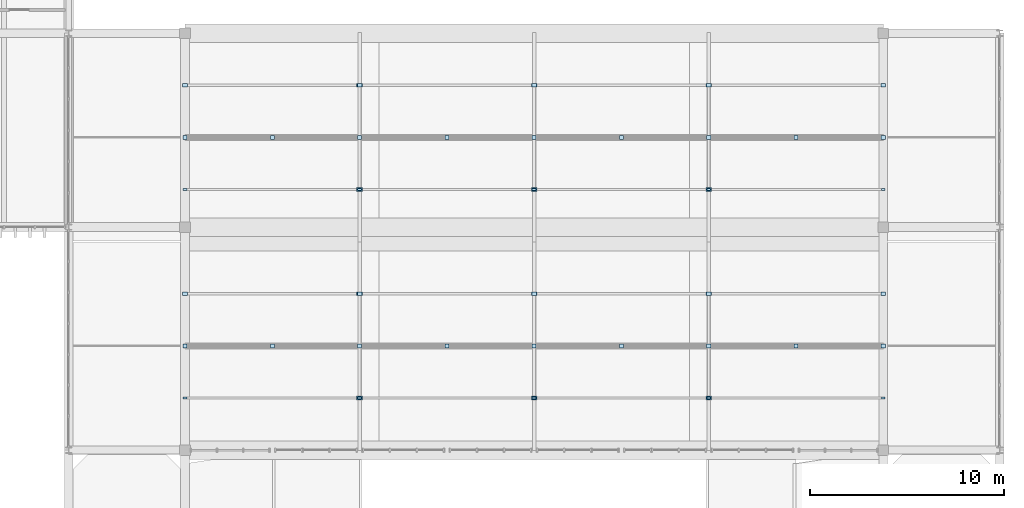
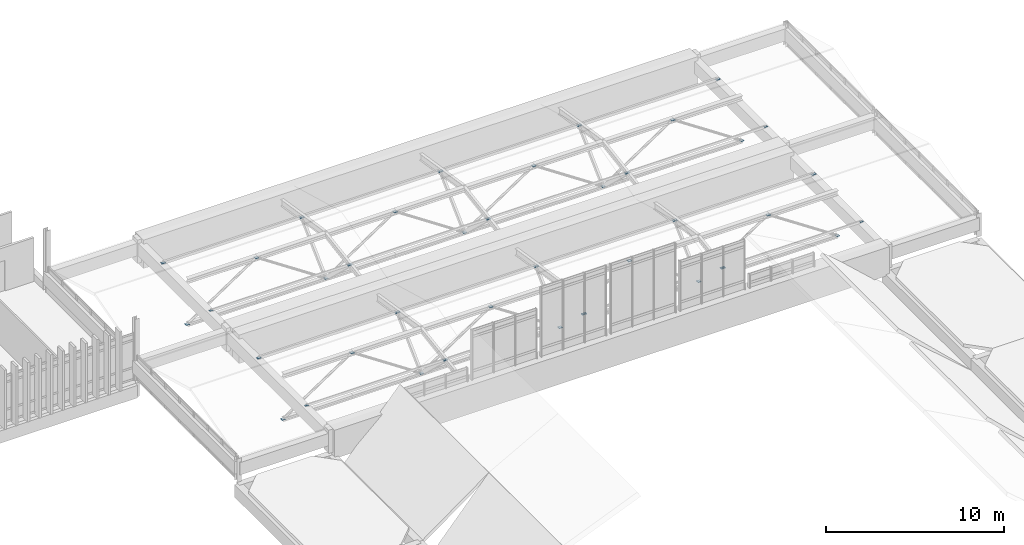
# One storey, part 76 of 82: 50 plates.
"""IFC4 building model written with IfcOpenShell, lengths in metres."""

import ifcopenshell
import ifcopenshell.guid

model = None  # the IFC model being written
_history = None  # IfcOwnerHistory: only IFC2X3 demands one
_inside = {}  # id of a spatial element -> (the spatial element, [elements in it])
_under = {}  # id of a project, library or spatial element -> (it, [spatial elements below it])
_declared = {}  # id of a project -> (the project, [libraries it declares])
_typed = {}  # id of a type object -> (the type object, [elements of that type])
_made_of = {}  # id of a material, layer set ... -> (it, [elements and type objects made of it])


def new_model(schema):
    """Start an empty IFC model of exactly this schema.

    Asked for "IFC4X3", IfcOpenShell would pick the latest addendum, in which some entities
    have other attributes; the version numbers below select the first issue.
    IFC2X3 requires an IfcOwnerHistory on every rooted entity: one is made here for all.
    """
    global model, _history
    if schema == "IFC4X3":
        model = ifcopenshell.file(schema_version=(4, 3, 0, 0))
    else:
        model = ifcopenshell.file(schema=schema)
    _inside.clear()
    _under.clear()
    _declared.clear()
    _typed.clear()
    _made_of.clear()
    _history = None
    if model.schema == "IFC2X3":
        org = make("IfcOrganization", Name="unknown")
        user = make(
            "IfcPersonAndOrganization",
            ThePerson=make("IfcPerson", FamilyName="unknown"),
            TheOrganization=org,
        )
        app = make(
            "IfcApplication",
            ApplicationDeveloper=org,
            Version="unknown",
            ApplicationFullName="unknown",
            ApplicationIdentifier="unknown",
        )
        _history = make(
            "IfcOwnerHistory",
            OwningUser=user,
            OwningApplication=app,
            ChangeAction="ADDED",
            CreationDate=0,
        )
    return model


def make(cls, **values):
    """One entity of the class cls with the attributes given. An attribute that is None is left unset."""
    return model.create_entity(
        cls, **{name: value for name, value in values.items() if value is not None}
    )


def rooted(cls, **values):
    """An entity with a GlobalId (a new one), such as an element, a storey or a relation."""
    return make(cls, GlobalId=ifcopenshell.guid.new(), OwnerHistory=_history, **values)


def si_unit(unit_type, name, prefix=None):
    """IfcSIUnit, for example si_unit("LENGTHUNIT", "METRE", prefix="MILLI")."""
    return make("IfcSIUnit", UnitType=unit_type, Prefix=prefix, Name=name)


def assignment(units):
    """IfcUnitAssignment: the units of a project."""
    return None if units is None else make("IfcUnitAssignment", Units=units)


def point(xyz):
    """IfcCartesianPoint."""
    return None if xyz is None else make("IfcCartesianPoint", Coordinates=xyz)


def direction(xyz):
    """IfcDirection."""
    return None if xyz is None else make("IfcDirection", DirectionRatios=xyz)


def frame(location, z_axis=None, x_axis=None):
    """IfcAxis2Placement3D, a coordinate frame: its origin and axes. An axis left out is left unset."""
    return make(
        "IfcAxis2Placement3D",
        Location=point(location),
        Axis=direction(z_axis),
        RefDirection=direction(x_axis),
    )


def frame_2d(location, x_axis=None):
    """IfcAxis2Placement2D, a coordinate frame in the plane: its origin and x axis."""
    return make(
        "IfcAxis2Placement2D", Location=point(location), RefDirection=direction(x_axis)
    )


def origin():
    """The frame at (0, 0, 0) with its axes left unset."""
    return frame((0.0, 0.0, 0.0))


def origin_2d():
    """The frame at (0, 0) in the plane with its x axis left unset."""
    return frame_2d((0.0, 0.0))


def place(relative_to, where):
    """IfcLocalPlacement: puts the frame where relative to a parent placement (None: the world)."""
    return make(
        "IfcLocalPlacement", PlacementRelTo=relative_to, RelativePlacement=where
    )


def context(
    kind, dimensions, precision=None, world=None, true_north=None, identifier=None
):
    """IfcGeometricRepresentationContext, for example the 3D "Model" context."""
    return make(
        "IfcGeometricRepresentationContext",
        ContextIdentifier=identifier,
        ContextType=kind,
        CoordinateSpaceDimension=dimensions,
        Precision=precision,
        WorldCoordinateSystem=world,
        TrueNorth=true_north,
    )


def subcontext(parent, identifier, kind, view, scale=None):
    """IfcGeometricRepresentationSubContext, for example "Body" below "Model"."""
    return make(
        "IfcGeometricRepresentationSubContext",
        ContextIdentifier=identifier,
        ContextType=kind,
        ParentContext=parent,
        TargetScale=scale,
        TargetView=view,
    )


def project(units=None, contexts=None):
    """IfcProject with its units and contexts."""
    return rooted(
        "IfcProject",
        Name="project",
        RepresentationContexts=contexts,
        UnitsInContext=assignment(units),
    )


def spatial(cls, under=None, at=None, **own):
    """A site, building, storey or space (cls), placed at a placement, below another one or the project."""
    s = rooted(cls, ObjectPlacement=at, **own)
    if under is not None:
        _under.setdefault(under.id(), (under, []))[1].append(s)
    return s


def profile(cls, at=None, kind="AREA", **sizes):
    """A parametric profile (cls). Its sizes go by their IFC names, for example OverallWidth=200.0."""
    return make(cls, ProfileType=kind, Position=at, **sizes)


def rectangle(**sizes):
    """IfcRectangleProfileDef."""
    return profile("IfcRectangleProfileDef", **sizes)


def extrude(swept, where, along, depth):
    """IfcExtrudedAreaSolid: the profile swept, set in the frame where, extruded along a direction by depth."""
    return make(
        "IfcExtrudedAreaSolid",
        SweptArea=swept,
        Position=where,
        ExtrudedDirection=direction(along),
        Depth=depth,
    )


def shape(context_of_items, identifier, shape_type, items):
    """IfcShapeRepresentation: the items that make up one representation, for example the "Body"."""
    return make(
        "IfcShapeRepresentation",
        ContextOfItems=context_of_items,
        RepresentationIdentifier=identifier,
        RepresentationType=shape_type,
        Items=items,
    )


def material(Name=None, Category=None):
    """IfcMaterial."""
    return make("IfcMaterial", Name=Name, Category=Category)


def layer(
    of_material, thickness, ventilated=None, Name=None, Category=None, Priority=None
):
    """IfcMaterialLayer: one layer of a wall or slab, of a material (None: an air gap)."""
    return make(
        "IfcMaterialLayer",
        Material=of_material,
        LayerThickness=thickness,
        IsVentilated=ventilated,
        Name=Name,
        Category=Category,
        Priority=Priority,
    )


def layer_set(layers, Name=None):
    """IfcMaterialLayerSet."""
    return make("IfcMaterialLayerSet", MaterialLayers=layers, LayerSetName=Name)


def made_of(thing, what):
    """Note that an element or type object is made of a material, layer set ...; save() writes the relation."""
    if what is not None:
        _made_of.setdefault(what.id(), (what, []))[1].append(thing)
    return thing


def type_object(cls, material=None, **own):
    """A type object (cls), such as IfcWallType, which elements share."""
    return made_of(rooted(cls, **own), material)


def element(
    cls,
    number,
    at=None,
    inside=None,
    cuts=None,
    type_object=None,
    material=None,
    context=None,
    identifier="Body",
    shape_type=None,
    held_by="IfcProductDefinitionShape",
    body=None,
    shapes=None,
    **own,
):
    """One element of the class cls, such as IfcWall. Its Tag is "e" and its number.

    at: its placement. inside: the storey or other place that contains it. cuts: it is an
    opening in that element (IfcRelVoidsElement). A single representation is given by context,
    identifier, shape_type and body (its items); several are given by shapes. held_by: the class
    of the entity that holds the representations. save() writes the other relations.
    """
    e = rooted(cls, Tag="e%d" % number, ObjectPlacement=at, **own)
    if body is not None:
        shapes = [shape(context, identifier, shape_type, body)]
    if shapes is not None:
        e.Representation = make(held_by, Representations=shapes)
    if inside is not None:
        _inside.setdefault(inside.id(), (inside, []))[1].append(e)
    if cuts is not None:
        rooted(
            "IfcRelVoidsElement", RelatingBuildingElement=cuts, RelatedOpeningElement=e
        )
    if type_object is not None:
        _typed.setdefault(type_object.id(), (type_object, []))[1].append(e)
    return made_of(e, material)


def aggregate(whole, parts):
    """IfcRelAggregates: a whole, such as a stair, and the parts it consists of."""
    return rooted("IfcRelAggregates", RelatingObject=whole, RelatedObjects=parts)


def save(model, path):
    """Write the relations noted so far, then the file.

    IfcRelAggregates (storeys below a building ...), IfcRelContainedInSpatialStructure (elements
    in a storey), IfcRelDefinesByType, IfcRelAssociatesMaterial and IfcRelDeclares: one each for
    every whole, place, type object, material and project.
    """
    for whole, parts in _under.values():
        aggregate(whole, parts)
    for where, things in _inside.values():
        rooted(
            "IfcRelContainedInSpatialStructure",
            RelatedElements=things,
            RelatingStructure=where,
        )
    for kind, things in _typed.values():
        rooted("IfcRelDefinesByType", RelatedObjects=things, RelatingType=kind)
    for what, things in _made_of.values():
        rooted("IfcRelAssociatesMaterial", RelatedObjects=things, RelatingMaterial=what)
    for by, libraries in _declared.values():
        rooted("IfcRelDeclares", RelatingContext=by, RelatedDefinitions=libraries)
    model.write(path)


model = new_model("IFC4")

# Units and contexts
model_context = context("Model", 3, precision=1e-05, world=origin(), true_north=direction((0.0, 1.0)))
body_context = subcontext(model_context, "Body", "Model", "MODEL_VIEW")
ifc_project = project(units=[si_unit("LENGTHUNIT", "METRE"), si_unit("AREAUNIT", "SQUARE_METRE"), si_unit("VOLUMEUNIT", "CUBIC_METRE"), si_unit("PLANEANGLEUNIT", "RADIAN"), si_unit("MASSUNIT", "GRAM", prefix="KILO")], contexts=[model_context])

# Site, building, storey
site_placement = place(None, origin())
site = spatial("IfcSite", under=ifc_project, at=site_placement, CompositionType="ELEMENT")
building_placement = place(site_placement, origin())
building = spatial("IfcBuilding", under=site, at=building_placement, Name="Mersad Railyard Sports Hall", CompositionType="ELEMENT")
storey_placement = place(building_placement, frame((0.0, 0.0, 13.199951171875)))
storey = spatial("IfcBuildingStorey", under=building, at=storey_placement, Name="L03", CompositionType="ELEMENT", Elevation=13.199951171875)

# Plates
ifc_material = material(Name="Steel S355", Category="steel")
ifc_layer_1 = layer(ifc_material, 0.011962890625)
ifc_layer_set_1 = layer_set([ifc_layer_1], Name="Steel S355")
plate_type_1 = type_object("IfcPlateType", Name="STR-PL-KP01", PredefinedType="SHEET", material=ifc_layer_set_1)
for number, where, z_axis, x_axis, name in (
    (1, (137.0, 76.1875, 1.4189453125), (0.0, 0.0, 1.0), (1.0, 0.0, 0.0), "End cap plate KP01-0204"),
    (2, (146.0, 76.1875, 1.4189453125), (0.0, 0.0, 1.0), (1.0, 0.0, 0.0), "End cap plate KP01-0205"),
    (3, (155.0, 76.1875, 1.4189453125), (0.0, 0.0, 1.0), (1.0, 0.0, 0.0), "End cap plate KP01-0208"),
    (4, (164.0, 76.1875, 1.4189453125), (0.0, 0.0, 1.0), (1.0, 0.0, 0.0), "End cap plate KP01-0210"),
    (5, (173.0, 76.1875, 1.4189453125), (0.0, 0.0, 1.0), (1.0, 0.0, 0.0), "End cap plate KP01-0212"),
    (6, (137.0, 86.9375, 1.4189453125), (0.0, 0.0, 1.0), (1.0, 0.0, 0.0), "End cap plate KP01-0229"),
    (7, (146.0, 86.9375, 1.4189453125), (0.0, 0.0, 1.0), (1.0, 0.0, 0.0), "End cap plate KP01-0230"),
    (8, (155.0, 86.9375, 1.4189453125), (0.0, 0.0, 1.0), (1.0, 0.0, 0.0), "End cap plate KP01-0233"),
    (9, (164.0, 86.9375, 1.4189453125), (0.0, 0.0, 1.0), (1.0, 0.0, 0.0), "End cap plate KP01-0235"),
    (10, (173.0, 86.9375, 1.4189453125), (0.0, 0.0, 1.0), (1.0, 0.0, 0.0), "End cap plate KP01-0237"),
):
    element("IfcPlate", number, at=place(storey_placement, frame(where, z_axis=z_axis, x_axis=x_axis)), inside=storey, type_object=plate_type_1, Name=name, PredefinedType="SHEET", context=body_context, shape_type="SweptSolid", body=[
        extrude(rectangle(XDim=0.199951171875, YDim=0.1201171875, at=origin_2d()), origin(), (0.0, 0.0, 1.0), 0.011962890625),
    ])
ifc_layer_2 = layer(ifc_material, 0.01611328125)
ifc_layer_set_2 = layer_set([ifc_layer_2], Name="Steel S355")
plate_type_2 = type_object("IfcPlateType", Name="STR-PL-KP02", PredefinedType="SHEET", material=ifc_layer_set_2)
for number, where, z_axis, x_axis, name in (
    (11, (137.0, 78.875, -1.157958984375), (0.0, 0.0, 1.0), (1.0, 0.0, 0.0), "End cap plate KP02-0189"),
    (12, (141.5, 78.875, 1.842041015625), (0.0, 0.0, 1.0), (1.0, 0.0, 0.0), "End cap plate KP02-0190"),
    (13, (146.0, 78.875, -1.157958984375), (0.0, 0.0, 1.0), (1.0, 0.0, 0.0), "End cap plate KP02-0191"),
    (14, (150.5, 78.875, 1.842041015625), (0.0, 0.0, 1.0), (1.0, 0.0, 0.0), "End cap plate KP02-0192"),
    (15, (155.0, 78.875, -1.157958984375), (0.0, 0.0, 1.0), (1.0, 0.0, 0.0), "End cap plate KP02-0193"),
    (16, (159.5, 78.875, 1.842041015625), (0.0, 0.0, 1.0), (1.0, 0.0, 0.0), "End cap plate KP02-0194"),
    (17, (164.0, 78.875, -1.157958984375), (0.0, 0.0, 1.0), (1.0, 0.0, 0.0), "End cap plate KP02-0195"),
    (18, (168.5, 78.875, 1.842041015625), (0.0, 0.0, 1.0), (1.0, 0.0, 0.0), "End cap plate KP02-0196"),
    (19, (173.0, 78.875, -1.157958984375), (0.0, 0.0, 1.0), (1.0, 0.0, 0.0), "End cap plate KP02-0197"),
    (20, (137.0, 89.625, -1.157958984375), (0.0, 0.0, 1.0), (1.0, 0.0, 0.0), "End cap plate KP02-0214"),
    (21, (141.5, 89.625, 1.842041015625), (0.0, 0.0, 1.0), (1.0, 0.0, 0.0), "End cap plate KP02-0215"),
    (22, (146.0, 89.625, -1.157958984375), (0.0, 0.0, 1.0), (1.0, 0.0, 0.0), "End cap plate KP02-0216"),
    (23, (150.5, 89.625, 1.842041015625), (0.0, 0.0, 1.0), (1.0, 0.0, 0.0), "End cap plate KP02-0217"),
    (24, (155.0, 89.625, -1.157958984375), (0.0, 0.0, 1.0), (1.0, 0.0, 0.0), "End cap plate KP02-0218"),
    (25, (159.5, 89.625, 1.842041015625), (0.0, 0.0, 1.0), (1.0, 0.0, 0.0), "End cap plate KP02-0219"),
    (26, (164.0, 89.625, -1.157958984375), (0.0, 0.0, 1.0), (1.0, 0.0, 0.0), "End cap plate KP02-0220"),
    (27, (168.5, 89.625, 1.842041015625), (0.0, 0.0, 1.0), (1.0, 0.0, 0.0), "End cap plate KP02-0221"),
    (28, (173.0, 89.625, -1.157958984375), (0.0, 0.0, 1.0), (1.0, 0.0, 0.0), "End cap plate KP02-0222"),
):
    element("IfcPlate", number, at=place(storey_placement, frame(where, z_axis=z_axis, x_axis=x_axis)), inside=storey, type_object=plate_type_2, Name=name, PredefinedType="SHEET", context=body_context, shape_type="SweptSolid", body=[
        extrude(rectangle(XDim=0.2099609375, YDim=0.2099609375, at=origin_2d()), origin(), (0.0, 0.0, 1.0), 0.01611328125),
    ])
ifc_layer_3 = layer(ifc_material, 0.02001953125)
ifc_layer_set_3 = layer_set([ifc_layer_3], Name="Steel S355")
plate_type_3 = type_object("IfcPlateType", Name="STR-PL-KP03", PredefinedType="SHEET", material=ifc_layer_set_3)
for number, where, z_axis, x_axis, name in (
    (29, (137.0, 81.5625, 1.4150390625), (0.0, 0.0, 1.0), (1.0, 0.0, 0.0), "End cap plate KP03-0206"),
    (30, (146.0, 81.5625, 1.4150390625), (0.0, 0.0, 1.0), (1.0, 0.0, 0.0), "End cap plate KP03-0207"),
    (31, (155.0, 81.5625, 1.4150390625), (0.0, 0.0, 1.0), (1.0, 0.0, 0.0), "End cap plate KP03-0209"),
    (32, (164.0, 81.5625, 1.4150390625), (0.0, 0.0, 1.0), (1.0, 0.0, 0.0), "End cap plate KP03-0211"),
    (33, (173.0, 81.5625, 1.4150390625), (0.0, 0.0, 1.0), (1.0, 0.0, 0.0), "End cap plate KP03-0213"),
    (34, (137.0, 92.3125, 1.4150390625), (0.0, 0.0, 1.0), (1.0, 0.0, 0.0), "End cap plate KP03-0231"),
    (35, (146.0, 92.3125, 1.4150390625), (0.0, 0.0, 1.0), (1.0, 0.0, 0.0), "End cap plate KP03-0232"),
    (36, (155.0, 92.3125, 1.4150390625), (0.0, 0.0, 1.0), (1.0, 0.0, 0.0), "End cap plate KP03-0234"),
    (37, (164.0, 92.3125, 1.4150390625), (0.0, 0.0, 1.0), (1.0, 0.0, 0.0), "End cap plate KP03-0236"),
    (38, (173.0, 92.3125, 1.4150390625), (0.0, 0.0, 1.0), (1.0, 0.0, 0.0), "End cap plate KP03-0238"),
):
    element("IfcPlate", number, at=place(storey_placement, frame(where, z_axis=z_axis, x_axis=x_axis)), inside=storey, type_object=plate_type_3, Name=name, PredefinedType="SHEET", context=body_context, shape_type="SweptSolid", body=[
        extrude(rectangle(XDim=0.239990234375, YDim=0.159912109375, at=origin_2d()), origin(), (0.0, 0.0, 1.0), 0.02001953125),
    ])
ifc_layer_4 = layer(ifc_material, 0.031982421875)
ifc_layer_set_4 = layer_set([ifc_layer_4], Name="Steel S355")
plate_type_4 = type_object("IfcPlateType", Name="STR-PL-KP05", PredefinedType="SHEET", material=ifc_layer_set_4)
for number, where, z_axis, x_axis, name in (
    (39, (146.0, 76.1875, 1.38427734375), (0.0, 0.0, 1.0), (1.0, 0.0, 0.0), "End cap plate KP05-0198"),
    (40, (146.0, 81.5625, 1.38427734375), (0.0, 0.0, 1.0), (1.0, 0.0, 0.0), "End cap plate KP05-0199"),
    (41, (155.0, 76.1875, 1.38427734375), (0.0, 0.0, 1.0), (1.0, 0.0, 0.0), "End cap plate KP05-0200"),
    (42, (155.0, 81.5625, 1.38427734375), (0.0, 0.0, 1.0), (1.0, 0.0, 0.0), "End cap plate KP05-0201"),
    (43, (164.0, 76.1875, 1.38427734375), (0.0, 0.0, 1.0), (1.0, 0.0, 0.0), "End cap plate KP05-0202"),
    (44, (164.0, 81.5625, 1.38427734375), (0.0, 0.0, 1.0), (1.0, 0.0, 0.0), "End cap plate KP05-0203"),
    (45, (146.0, 86.9375, 1.38427734375), (0.0, 0.0, 1.0), (1.0, 0.0, 0.0), "End cap plate KP05-0223"),
    (46, (146.0, 92.3125, 1.38427734375), (0.0, 0.0, 1.0), (1.0, 0.0, 0.0), "End cap plate KP05-0224"),
    (47, (155.0, 86.9375, 1.38427734375), (0.0, 0.0, 1.0), (1.0, 0.0, 0.0), "End cap plate KP05-0225"),
    (48, (155.0, 92.3125, 1.38427734375), (0.0, 0.0, 1.0), (1.0, 0.0, 0.0), "End cap plate KP05-0226"),
    (49, (164.0, 86.9375, 1.38427734375), (0.0, 0.0, 1.0), (1.0, 0.0, 0.0), "End cap plate KP05-0227"),
    (50, (164.0, 92.3125, 1.38427734375), (0.0, 0.0, 1.0), (1.0, 0.0, 0.0), "End cap plate KP05-0228"),
):
    element("IfcPlate", number, at=place(storey_placement, frame(where, z_axis=z_axis, x_axis=x_axis)), inside=storey, type_object=plate_type_4, Name=name, PredefinedType="SHEET", context=body_context, shape_type="SweptSolid", body=[
        extrude(rectangle(XDim=0.300048828125, YDim=0.199951171875, at=origin_2d()), origin(), (0.0, 0.0, 1.0), 0.031982421875),
    ])

save(model, "model.ifc")
